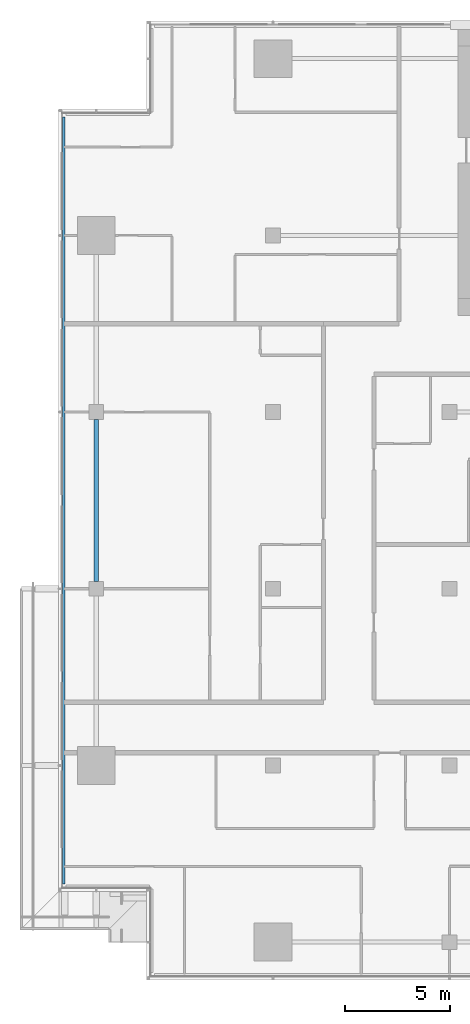
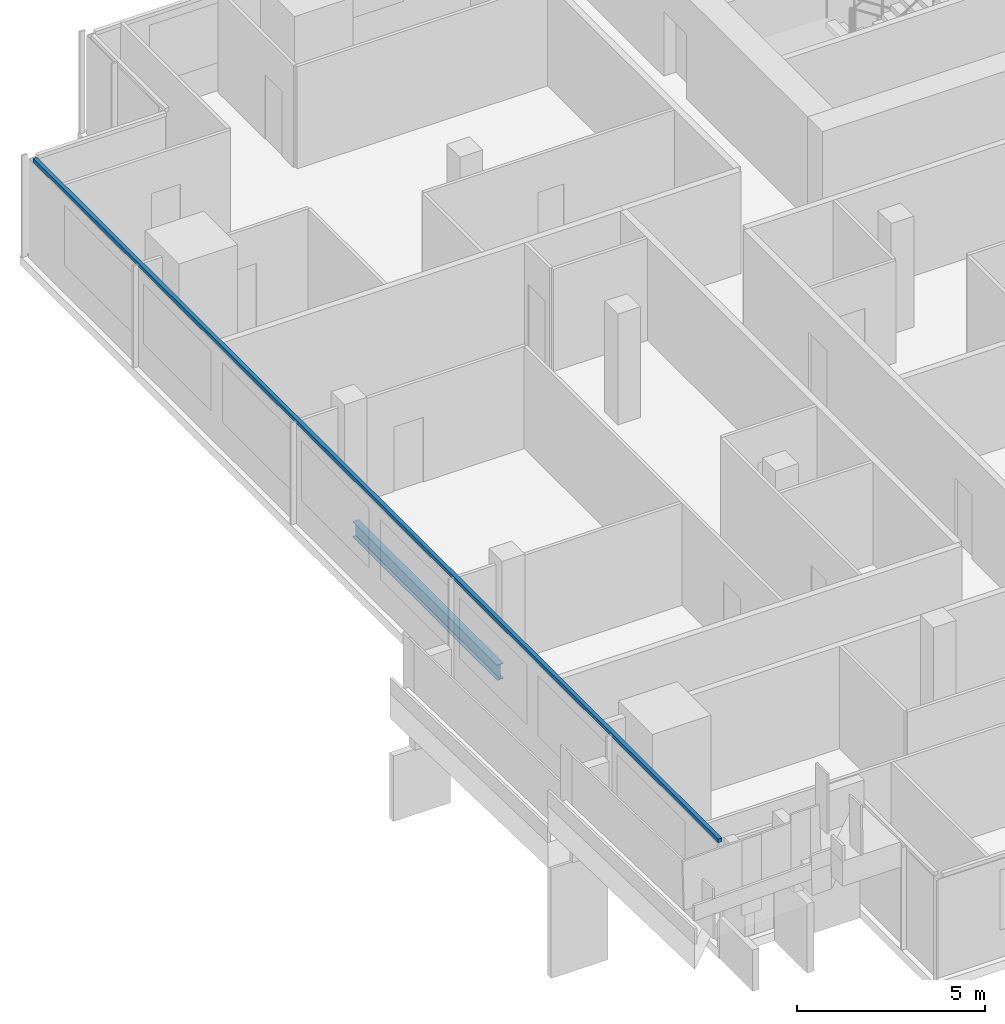
# One storey, part 3 of 29: 1 beam, 1 member, 1 element without a shape of its own.
"""IFC4 building model written with IfcOpenShell, lengths in metres."""

from ifc_helpers import new_model, si_unit, direction, frame, origin, origin_2d, place, context, subcontext, project, spatial, rectangle, i_section, extrude, material, material_profile, profile_set, type_object, element, aggregate, save


model = new_model("IFC4")

# Units and contexts
model_context = context("Model", 3, precision=1e-05, world=origin(), true_north=direction((0.0, 1.0)))
body_context = subcontext(model_context, "Body", "Model", "MODEL_VIEW")
ifc_project = project(units=[si_unit("LENGTHUNIT", "METRE"), si_unit("AREAUNIT", "SQUARE_METRE"), si_unit("VOLUMEUNIT", "CUBIC_METRE"), si_unit("PLANEANGLEUNIT", "RADIAN"), si_unit("MASSUNIT", "GRAM", prefix="KILO")], contexts=[model_context])

# Site, building, storey
site_placement = place(None, origin())
site = spatial("IfcSite", under=ifc_project, at=site_placement, CompositionType="ELEMENT")
building_placement = place(site_placement, origin())
building = spatial("IfcBuilding", under=site, at=building_placement, Name="Saffron Gate Tower", CompositionType="ELEMENT")
storey_placement = place(building_placement, frame((0.0, 0.0, 187.050048828125)))
storey = spatial("IfcBuildingStorey", under=building, at=storey_placement, Name="L46", CompositionType="ELEMENT", Elevation=187.050048828125)

# Beam
ifc_material_1 = material(Name="Structural steel S355", Category="steel")
ifc_material_profile_1 = material_profile(ifc_material_1, i_section(OverallWidth=0.199951171875, OverallDepth=0.5, WebThickness=0.01025390625, FlangeThickness=0.01611328125, FilletRadius=0.02099609375, at=origin_2d()))
ifc_profile_set_1 = profile_set([ifc_material_profile_1], Name="Structural steel S355")
beam_type = type_object("IfcBeamType", Name="B11 IPE 500", PredefinedType="SPANDREL", material=ifc_profile_set_1)
beam_placement = place(storey_placement, frame((49.800048828125, 48.949951171875, -0.530029296875), z_axis=(0.0, 1.0, 0.0), x_axis=(-1.0, 0.0, 0.0)))
element("IfcBeam", 1, at=beam_placement, inside=storey, type_object=beam_type, Name="B11 SPANDREL BEAM", PredefinedType="SPANDREL", context=body_context, shape_type="SweptSolid", body=[
    extrude(i_section(OverallWidth=0.199951171875, OverallDepth=0.5, WebThickness=0.01025390625, FlangeThickness=0.01611328125, FilletRadius=0.02099609375, at=origin_2d()), origin(), (0.0, 0.0, 1.0), 7.699951171875),
])

# Curtain wall, member
ifc_material_2 = material(Name="Aluminium, bronze anodised", Category="aluminium")
curtain_wall_type = type_object("IfcCurtainWallType", Name="CWS2 curtain wall side facades", PredefinedType="NOTDEFINED", material=ifc_material_2)
curtain_wall_placement = place(storey_placement, origin())
curtain_wall = element("IfcCurtainWall", 2, at=curtain_wall_placement, inside=storey, type_object=curtain_wall_type, Name="CWS2 run 10", PredefinedType="NOTDEFINED")
ifc_material_profile_2 = material_profile(ifc_material_2, rectangle(XDim=0.1201171875, YDim=0.1201171875, at=origin_2d()))
ifc_profile_set_2 = profile_set([ifc_material_profile_2], Name="Aluminium, bronze anodised")
member_type = type_object("IfcMemberType", Name="CWS2 head transom", PredefinedType="USERDEFINED", material=ifc_profile_set_2)
member_placement = place(storey_placement, frame((48.248046875, 71.031982421875, 3.260009765625), z_axis=(0.0, -1.0, 0.0), x_axis=(1.0, 0.0, 0.0)))
member = element("IfcMember", 3, at=member_placement, type_object=member_type, Name="CWS2 head transom", ObjectType="TRANSOM", PredefinedType="USERDEFINED", context=body_context, shape_type="SweptSolid", body=[
    extrude(rectangle(XDim=0.1201171875, YDim=0.1201171875, at=origin_2d()), origin(), (0.0, 0.0, 1.0), 36.4638671875),
])
aggregate(curtain_wall, [member])

save(model, "model.ifc")
